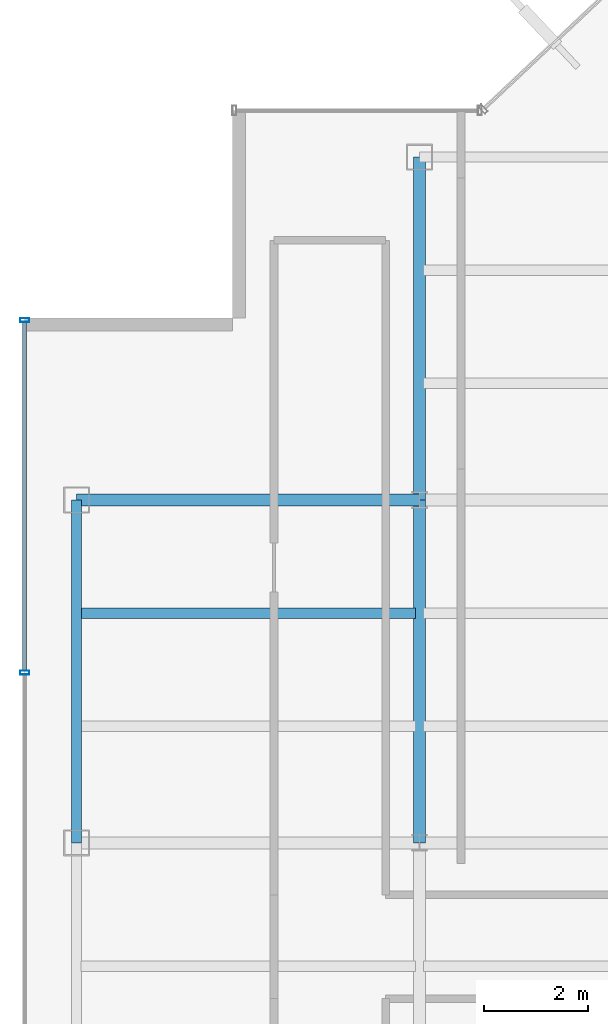
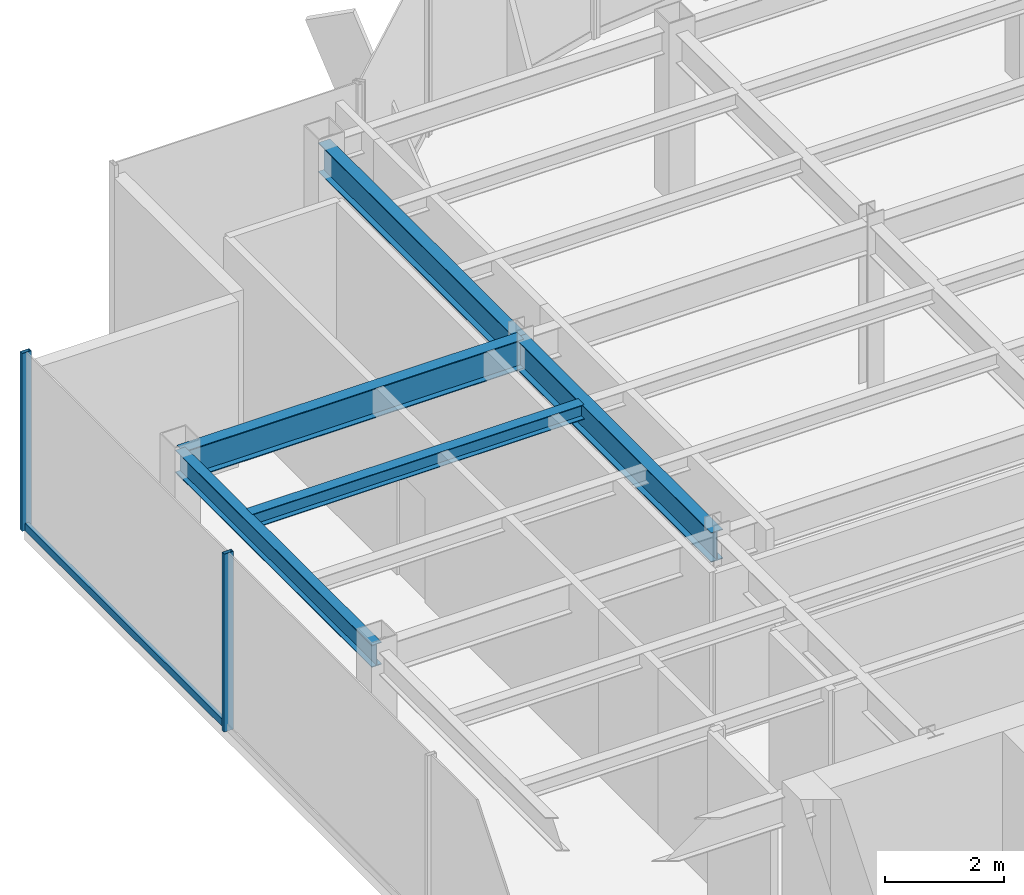
# One storey, part 7 of 22: 5 beams, 3 members, 1 element without a shape of its own.
"""IFC4 building model written with IfcOpenShell, lengths in metres."""

from ifc_helpers import new_model, si_unit, derived_unit, direction, frame, origin, origin_2d, place, context, subcontext, project, spatial, hollow_rectangle, i_section, extrude, source, transform, mapped, material, material_profile, profile_set, type_object, element, aggregate, save


model = new_model("IFC4")

# Units and contexts
model_context = context("Model", 3, precision=1e-05, world=origin(), true_north=direction((0.0, 1.0)))
body_context = subcontext(model_context, "Body", "Model", "MODEL_VIEW")
ifc_project = project(units=[si_unit("LENGTHUNIT", "METRE"), si_unit("AREAUNIT", "SQUARE_METRE"), si_unit("VOLUMEUNIT", "CUBIC_METRE"), si_unit("PLANEANGLEUNIT", "RADIAN"), si_unit("MASSUNIT", "GRAM", prefix="KILO"), derived_unit("THERMALTRANSMITTANCEUNIT", [(si_unit("POWERUNIT", "WATT"), 1), (si_unit("LENGTHUNIT", "METRE"), -2), (si_unit("THERMODYNAMICTEMPERATUREUNIT", "KELVIN"), -1)])], contexts=[model_context])

# Site, building, storey
site_placement = place(None, origin())
site = spatial("IfcSite", under=ifc_project, at=site_placement, CompositionType="ELEMENT")
building_placement = place(site_placement, origin())
building = spatial("IfcBuilding", under=site, at=building_placement, Name="Skarnbrae Concourse Arena and Tower", CompositionType="ELEMENT")
storey_placement = place(building_placement, frame((0.0, 0.0, 240.550048828125)))
storey = spatial("IfcBuildingStorey", under=building, at=storey_placement, Name="L62", CompositionType="ELEMENT", Elevation=240.550048828125)

# Beams
ifc_material_1 = material(Name="Steel CSA G40.21 350W", Category="steel")
ifc_material_profile_1 = material_profile(ifc_material_1, i_section(OverallWidth=0.22802734375, OverallDepth=0.60791015625, WebThickness=0.01123046875, FlangeThickness=0.017333984375, at=origin_2d()), Name="W610X113")
ifc_profile_set_1 = profile_set([ifc_material_profile_1], Name="Steel CSA G40.21 350W")
beam_type_1 = type_object("IfcBeamType", Name="BM-GIRD-W610X113", PredefinedType="BEAM", material=ifc_profile_set_1)
shared_shape_1 = source(origin(), body_context, "Body", "SweptSolid", [
    extrude(i_section(OverallWidth=0.22802734375, OverallDepth=0.60791015625, WebThickness=0.01123046875, FlangeThickness=0.017333984375, at=origin_2d()), origin(), (0.0, 0.0, 1.0), 6.60009765625),
])
for number, where, z_axis, x_axis, name in (
    (1, (1.0, 27.800048828125, 3.095947265625), (1.0, 0.0, 0.0), (0.0, 1.0, 0.0), "L62 Primary E-W girder Y27.8-1"),
    (2, (7.60009765625, 21.199951171875, 3.095947265625), (0.0, 1.0, 0.0), (-1.0, 0.0, 0.0), "L62 Primary N-S girder X7.6-2"),
):
    element("IfcBeam", number, at=place(storey_placement, frame(where, z_axis=z_axis, x_axis=x_axis)), inside=storey, type_object=beam_type_1, Name=name, PredefinedType="BEAM", context=body_context, shape_type="MappedRepresentation", body=[
        mapped(shared_shape_1, transform((0.0, 0.0, 0.0))),
    ])
ifc_material_profile_2 = material_profile(ifc_material_1, i_section(OverallWidth=0.19091796875, OverallDepth=0.4599609375, WebThickness=0.010009765625, FlangeThickness=0.01611328125, at=origin_2d()), Name="W460X82")
ifc_profile_set_2 = profile_set([ifc_material_profile_2], Name="Steel CSA G40.21 350W")
beam_type_2 = type_object("IfcBeamType", Name="BM-SPAN-W460X82", PredefinedType="SPANDREL", material=ifc_profile_set_2)
shared_shape_2 = source(origin(), body_context, "Body", "SweptSolid", [
    extrude(i_section(OverallWidth=0.19091796875, OverallDepth=0.4599609375, WebThickness=0.010009765625, FlangeThickness=0.01611328125, at=origin_2d()), origin(), (0.0, 0.0, 1.0), 6.60009765625),
])
beam_1_placement = place(storey_placement, frame((1.0, 21.199951171875, 3.169921875), z_axis=(0.0, 1.0, 0.0), x_axis=(-1.0, 0.0, 0.0)))
element("IfcBeam", 3, at=beam_1_placement, inside=storey, type_object=beam_type_2, Name="L62 Perimeter spandrel X1.0-3", PredefinedType="SPANDREL", context=body_context, shape_type="MappedRepresentation", body=[
    mapped(shared_shape_2, transform((0.0, 0.0, 0.0))),
])
shared_shape_3 = source(origin(), body_context, "Body", "SweptSolid", [
    extrude(i_section(OverallWidth=0.22802734375, OverallDepth=0.60791015625, WebThickness=0.01123046875, FlangeThickness=0.017333984375, at=origin_2d()), origin(), (0.0, 0.0, 1.0), 6.599853515625),
])
beam_2_placement = place(storey_placement, frame((7.60009765625, 27.800048828125, 3.095947265625), z_axis=(0.0, 1.0, 0.0), x_axis=(-1.0, 0.0, 0.0)))
element("IfcBeam", 4, at=beam_2_placement, inside=storey, type_object=beam_type_1, Name="L62 Primary N-S girder X7.6-3", PredefinedType="BEAM", context=body_context, shape_type="MappedRepresentation", body=[
    mapped(shared_shape_3, transform((0.0, 0.0, 0.0))),
])
ifc_material_profile_3 = material_profile(ifc_material_1, i_section(OverallWidth=0.202880859375, OverallDepth=0.302978515625, WebThickness=0.007568359375, FlangeThickness=0.01318359375, at=origin_2d()), Name="W310X60")
ifc_profile_set_3 = profile_set([ifc_material_profile_3], Name="Steel CSA G40.21 350W")
beam_type_3 = type_object("IfcBeamType", Name="BM-JOIST-W310X60", PredefinedType="JOIST", material=ifc_profile_set_3)
shared_shape_4 = source(origin(), body_context, "Body", "SweptSolid", [
    extrude(i_section(OverallWidth=0.202880859375, OverallDepth=0.302978515625, WebThickness=0.007568359375, FlangeThickness=0.01318359375, at=origin_2d()), origin(), (0.0, 0.0, 1.0), 6.43994140625),
])
beam_3_placement = place(storey_placement, frame((1.080078125, 25.6220703125, 3.24853515625), z_axis=(1.0, 0.0, 0.0), x_axis=(0.0, 1.0, 0.0)))
element("IfcBeam", 5, at=beam_3_placement, inside=storey, type_object=beam_type_3, Name="L62 Secondary floor joist 2.2.1", PredefinedType="JOIST", context=body_context, shape_type="MappedRepresentation", body=[
    mapped(shared_shape_4, transform((0.0, 0.0, 0.0))),
])

# Curtain wall, members
ifc_material_2 = material(Name="Bronze anodised aluminium 6063-T6", Category="aluminium")
curtain_wall_type = type_object("IfcCurtainWallType", Name="CW-SYS-05-HIGHZONE", PredefinedType="USERDEFINED", material=ifc_material_2)
curtain_wall_placement = place(storey_placement, origin())
curtain_wall = element("IfcCurtainWall", 6, at=curtain_wall_placement, inside=storey, type_object=curtain_wall_type, Name="L62 Unitised curtain wall CW-L62-E18", ObjectType="UNITISED CURTAIN WALL", PredefinedType="USERDEFINED")
ifc_material_profile_4 = material_profile(ifc_material_2, hollow_rectangle(XDim=0.074951171875, YDim=0.179931640625, WallThickness=0.00390625, at=origin_2d()), Name="ALU-MULL-75X180")
ifc_profile_set_4 = profile_set([ifc_material_profile_4], Name="Bronze anodised aluminium 6063-T6")
member_type_1 = type_object("IfcMemberType", Name="CWM-CW-05", PredefinedType="MULLION", material=ifc_profile_set_4)
shared_shape_5 = source(origin(), body_context, "Body", "SweptSolid", [
    extrude(hollow_rectangle(XDim=0.074951171875, YDim=0.179931640625, WallThickness=0.00390625, at=origin_2d()), origin(), (0.0, 0.0, 1.0), 3.64990234375),
])
member_1_placement = place(storey_placement, frame((0.0, 31.262451171875, 0.0), z_axis=(0.0, 0.0, 1.0), x_axis=(0.0, -1.0, 0.0)))
member_1 = element("IfcMember", 7, at=member_1_placement, type_object=member_type_1, Name="CW-L62-E18 Mullion 1", PredefinedType="MULLION", context=body_context, shape_type="MappedRepresentation", body=[
    mapped(shared_shape_5, transform((0.0, 0.0, 0.0))),
])
member_2_placement = place(storey_placement, frame((0.0, 24.47509765625, 0.0), z_axis=(0.0, 0.0, 1.0), x_axis=(0.0, -1.0, 0.0)))
member_2 = element("IfcMember", 8, at=member_2_placement, type_object=member_type_1, Name="CW-L62-E18 Mullion 2", PredefinedType="MULLION", context=body_context, shape_type="MappedRepresentation", body=[
    mapped(shared_shape_5, transform((0.0, 0.0, 0.0))),
])
ifc_material_profile_5 = material_profile(ifc_material_2, hollow_rectangle(XDim=0.074951171875, YDim=0.14990234375, WallThickness=0.00390625, at=origin_2d()), Name="ALU-TRAN-75X150")
ifc_profile_set_5 = profile_set([ifc_material_profile_5], Name="Bronze anodised aluminium 6063-T6")
member_type_2 = type_object("IfcMemberType", Name="CWT-CW-05", PredefinedType="USERDEFINED", material=ifc_profile_set_5)
shared_shape_6 = source(origin(), body_context, "Body", "SweptSolid", [
    extrude(hollow_rectangle(XDim=0.074951171875, YDim=0.14990234375, WallThickness=0.00390625, at=origin_2d()), origin(), (0.0, 0.0, 1.0), 6.712646484375),
])
member_3_placement = place(storey_placement, frame((0.0, 31.22509765625, 0.074951171875), z_axis=(0.0, -1.0, 0.0), x_axis=(1.0, 0.0, 0.0)))
member_3 = element("IfcMember", 9, at=member_3_placement, type_object=member_type_2, Name="CW-L62-E18 Transom 1", ObjectType="TRANSOM", PredefinedType="USERDEFINED", context=body_context, shape_type="MappedRepresentation", body=[
    mapped(shared_shape_6, transform((0.0, 0.0, 0.0))),
])
aggregate(curtain_wall, [member_1, member_2, member_3])

save(model, "model.ifc")
